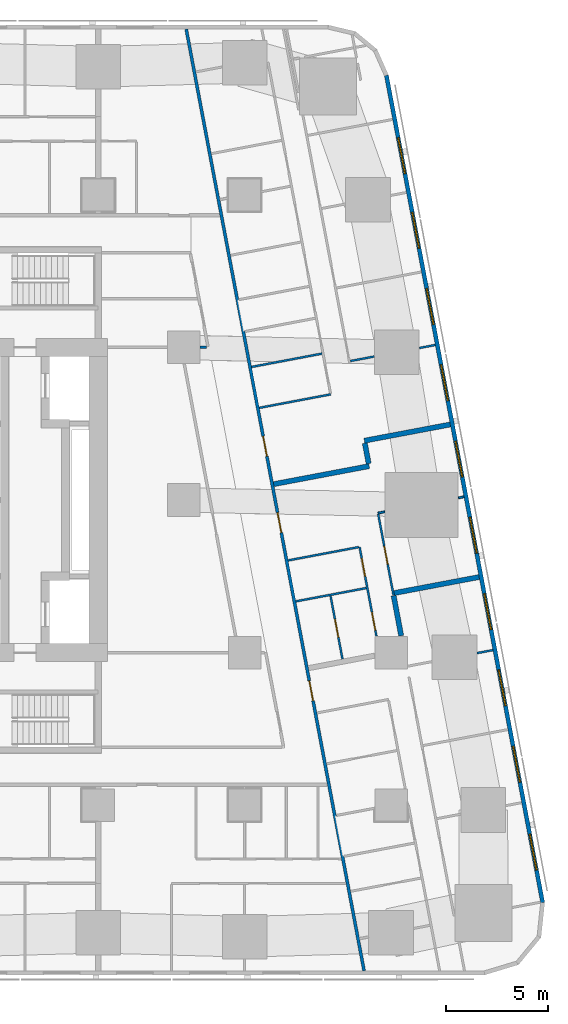
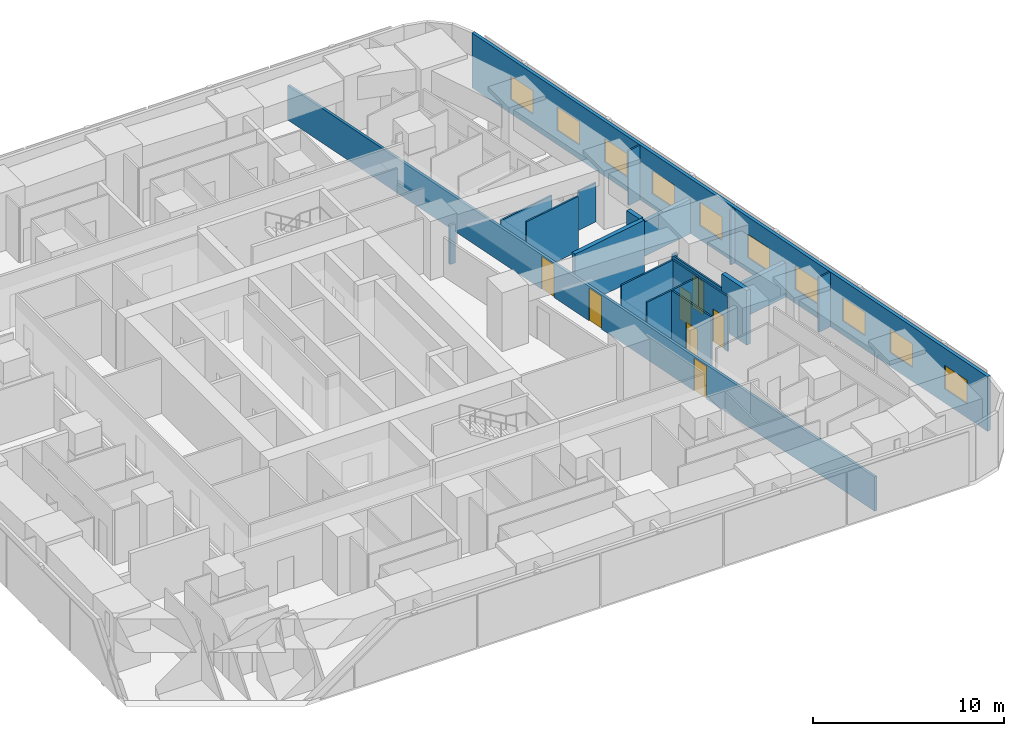
# One storey, part 8 of 17: 20 walls, 10 windows, 7 doors, 17 openings.
"""IFC4 building model written with IfcOpenShell, lengths in metres."""

from ifc_helpers import new_model, si_unit, direction, frame, frame_2d, origin, place, context, subcontext, project, spatial, rectangle, extrude, material, layer, layer_set, type_object, element, fill, save


model = new_model("IFC4")

# Units and contexts
model_context = context("Model", 3, precision=1e-05, world=origin(), true_north=direction((0.0, 1.0)))
body_context = subcontext(model_context, "Body", "Model", "MODEL_VIEW")
ifc_project = project(units=[si_unit("LENGTHUNIT", "METRE"), si_unit("AREAUNIT", "SQUARE_METRE"), si_unit("VOLUMEUNIT", "CUBIC_METRE"), si_unit("PLANEANGLEUNIT", "RADIAN"), si_unit("MASSUNIT", "GRAM", prefix="KILO")], contexts=[model_context])

# Site, building, storey
site_placement = place(None, origin())
site = spatial("IfcSite", under=ifc_project, at=site_placement, CompositionType="ELEMENT")
building_placement = place(site_placement, origin())
building = spatial("IfcBuilding", under=site, at=building_placement, Name="Sheger Commons Tower", CompositionType="ELEMENT")
storey_placement = place(building_placement, frame((0.0, 0.0, 119.14990234375)))
storey = spatial("IfcBuildingStorey", under=building, at=storey_placement, Name="L30", CompositionType="ELEMENT", Elevation=119.14990234375)

# Wall, openings, doors
ifc_material_1 = material(Name="Hollow concrete block masonry, skimmed both sides", Category="masonry")
ifc_layer_1 = layer(ifc_material_1, 0.14990234375)
ifc_layer_set_1 = layer_set([ifc_layer_1], Name="CORRIDOR WALL 150")
wall_type_1 = type_object("IfcWallType", Name="CORRIDOR WALL 150", PredefinedType="SOLIDWALL", material=ifc_layer_set_1)
wall_1_placement = place(storey_placement, frame((33.126953125, 45.64990234375, 0.0), z_axis=(0.0, 0.0, 1.0), x_axis=(0.185598547723, -0.98262565562, 0.0)))
wall_1 = element("IfcWall", 1, at=wall_1_placement, inside=storey, type_object=wall_type_1, Name="Corridor wall L30", PredefinedType="SOLIDWALL", context=body_context, shape_type="SweptSolid", body=[
    extrude(rectangle(XDim=47.118408203125, YDim=0.14990234375, at=frame_2d((23.55908203125, 0.0))), origin(), (0.0, 0.0, 1.0), 2.2001953125),
])
opening_1_placement = place(wall_1_placement, frame((20.373046875, 0.0, 0.0)))
opening_1 = element("IfcOpeningElement", 2, at=opening_1_placement, cuts=wall_1, Name="Opening D1", PredefinedType="OPENING", context=body_context, shape_type="SweptSolid", body=[
    extrude(rectangle(XDim=1.0, YDim=2.10009765625, at=frame_2d((0.5, 1.050048828125))), frame((0.0, 0.0849609375, 0.0), z_axis=(0.0, -1.0, 0.0), x_axis=(1.0, 0.0, 0.0)), (0.0, 0.0, 1.0), 0.169921875),
])
opening_2_placement = place(wall_1_placement, frame((24.18798828125, 0.0, 0.0)))
opening_2 = element("IfcOpeningElement", 3, at=opening_2_placement, cuts=wall_1, Name="Opening D1", PredefinedType="OPENING", context=body_context, shape_type="SweptSolid", body=[
    extrude(rectangle(XDim=1.0, YDim=2.10009765625, at=frame_2d((0.5, 1.050048828125))), frame((0.0, 0.0849609375, 0.0), z_axis=(0.0, -1.0, 0.0), x_axis=(1.0, 0.0, 0.0)), (0.0, 0.0, 1.0), 0.169921875),
])
opening_3_placement = place(wall_1_placement, frame((32.60791015625, 0.0, 0.0)))
opening_3 = element("IfcOpeningElement", 4, at=opening_3_placement, cuts=wall_1, Name="Opening D1", PredefinedType="OPENING", context=body_context, shape_type="SweptSolid", body=[
    extrude(rectangle(XDim=1.0, YDim=2.10009765625, at=frame_2d((0.5, 1.050048828125))), frame((0.0, 0.0849609375, 0.0), z_axis=(0.0, -1.0, 0.0), x_axis=(1.0, 0.0, 0.0)), (0.0, 0.0, 1.0), 0.169921875),
])
ifc_material_2 = material(Name="Steel door set, fire rated", Category="steel")
door_type_1 = type_object("IfcDoorType", Name="FLAT ENTRANCE DOOR 1000x2100", OperationType="NOTDEFINED", PredefinedType="DOOR", material=ifc_material_2)
door_1_placement = place(opening_1_placement, origin())
door_1 = element("IfcDoor", 5, at=door_1_placement, inside=storey, type_object=door_type_1, Name="Flat entrance door", OperationType="SINGLE_SWING_RIGHT", OverallHeight=2.10009765625, OverallWidth=1.0, PredefinedType="DOOR", context=body_context, shape_type="SweptSolid", body=[
    extrude(rectangle(XDim=1.0, YDim=2.10009765625, at=frame_2d((0.5, 1.050048828125))), frame((0.0, 0.02490234375, 0.0), z_axis=(0.0, -1.0, 0.0), x_axis=(1.0, 0.0, 0.0)), (0.0, 0.0, 1.0), 0.050048828125),
])
fill(opening_1, door_1)
door_2_placement = place(opening_2_placement, origin())
door_2 = element("IfcDoor", 6, at=door_2_placement, inside=storey, type_object=door_type_1, Name="Flat entrance door", OperationType="SINGLE_SWING_LEFT", OverallHeight=2.10009765625, OverallWidth=1.0, PredefinedType="DOOR", context=body_context, shape_type="SweptSolid", body=[
    extrude(rectangle(XDim=1.0, YDim=2.10009765625, at=frame_2d((0.5, 1.050048828125))), frame((0.0, 0.02490234375, 0.0), z_axis=(0.0, -1.0, 0.0), x_axis=(1.0, 0.0, 0.0)), (0.0, 0.0, 1.0), 0.050048828125),
])
fill(opening_2, door_2)
door_3_placement = place(opening_3_placement, origin())
door_3 = element("IfcDoor", 7, at=door_3_placement, inside=storey, type_object=door_type_1, Name="Flat entrance door", OperationType="SINGLE_SWING_RIGHT", OverallHeight=2.10009765625, OverallWidth=1.0, PredefinedType="DOOR", context=body_context, shape_type="SweptSolid", body=[
    extrude(rectangle(XDim=1.0, YDim=2.10009765625, at=frame_2d((0.5, 1.050048828125))), frame((0.0, 0.02490234375, 0.0), z_axis=(0.0, -1.0, 0.0), x_axis=(1.0, 0.0, 0.0)), (0.0, 0.0, 1.0), 0.050048828125),
])
fill(opening_3, door_3)

# Walls
ifc_material_3 = material(Name="Dense concrete block masonry, plastered both sides (separating wall between flats)", Category="masonry")
ifc_layer_2 = layer(ifc_material_3, 0.25)
ifc_layer_set_2 = layer_set([ifc_layer_2], Name="DEMISING WALL 250")
wall_type_2 = type_object("IfcWallType", Name="DEMISING WALL 250", PredefinedType="SOLIDWALL", material=ifc_layer_set_2)
wall_2_placement = place(storey_placement, frame((46.110107421875, 26.212890625, 0.0), z_axis=(0.0, 0.0, 1.0), x_axis=(-0.982633535512, -0.185556823879, 0.0)))
element("IfcWall", 8, at=wall_2_placement, inside=storey, type_object=wall_type_2, Name="Demising wall L30", PredefinedType="SOLIDWALL", context=body_context, shape_type="SweptSolid", body=[
    extrude(rectangle(XDim=4.2998046875, YDim=0.25, at=frame_2d((2.14990234375, 0.0))), origin(), (0.0, 0.0, 1.0), 2.2001953125),
])
wall_3_placement = place(storey_placement, frame((42.12109375, 24.166015625, 0.0), z_axis=(0.0, 0.0, 1.0), x_axis=(-0.98259850169, -0.185742252804, 0.0)))
element("IfcWall", 9, at=wall_3_placement, inside=storey, type_object=wall_type_2, Name="Demising wall L30", PredefinedType="SOLIDWALL", context=body_context, shape_type="SweptSolid", body=[
    extrude(rectangle(XDim=4.775146484375, YDim=0.25, at=frame_2d((2.3876953125, 0.0))), origin(), (0.0, 0.0, 1.0), 3.5),
])
wall_4_placement = place(storey_placement, frame((41.907958984375, 25.2919921875, 0.0), z_axis=(0.0, 0.0, 1.0), x_axis=(0.18607888991, -0.982534806879, 0.0)))
element("IfcWall", 10, at=wall_4_placement, inside=storey, type_object=wall_type_2, Name="Demising wall L30", PredefinedType="SOLIDWALL", context=body_context, shape_type="SweptSolid", body=[
    extrude(rectangle(XDim=1.020751953125, YDim=0.25, at=frame_2d((0.51025390625, 0.0))), origin(), (0.0, 0.0, 1.0), 3.5),
])
wall_5_placement = place(storey_placement, frame((47.527099609375, 18.7119140625, 0.0), z_axis=(0.0, 0.0, 1.0), x_axis=(-0.982665405803, -0.185387972203, 0.0)))
element("IfcWall", 11, at=wall_5_placement, inside=storey, type_object=wall_type_2, Name="Demising wall L30", PredefinedType="SOLIDWALL", context=body_context, shape_type="SweptSolid", body=[
    extrude(rectangle(XDim=4.249755859375, YDim=0.25, at=frame_2d((2.125, 0.0))), origin(), (0.0, 0.0, 1.0), 2.2001953125),
])
wall_6_placement = place(storey_placement, frame((43.324951171875, 17.7919921875, 0.0), z_axis=(0.0, 0.0, 1.0), x_axis=(0.185296805985, -0.982682600686, 0.0)))
element("IfcWall", 12, at=wall_6_placement, inside=storey, type_object=wall_type_2, Name="Demising wall L30", PredefinedType="SOLIDWALL", context=body_context, shape_type="SweptSolid", body=[
    extrude(rectangle(XDim=2.002685546875, YDim=0.25, at=frame_2d((1.00146484375, 0.0))), origin(), (0.0, 0.0, 1.0), 3.5),
])

# Wall, openings, windows
ifc_material_4 = material(Name="Rendered concrete block masonry, dark grey", Category="masonry")
ifc_layer_3 = layer(ifc_material_4, 0.199951171875)
ifc_layer_set_3 = layer_set([ifc_layer_3], Name="FACADE WALL 200")
wall_type_3 = type_object("IfcWallType", Name="FACADE WALL 200", PredefinedType="SOLIDWALL", material=ifc_layer_set_3)
wall_7_placement = place(storey_placement, frame((50.653076171875, 2.702880859375, 0.0), z_axis=(0.0, 0.0, 1.0), x_axis=(-0.185612026696, 0.982623109613, 0.0)))
wall_7 = element("IfcWall", 13, at=wall_7_placement, inside=storey, type_object=wall_type_3, Name="Facade wall L30", PredefinedType="SOLIDWALL", context=body_context, shape_type="SweptSolid", body=[
    extrude(rectangle(XDim=41.393310546875, YDim=0.199951171875, at=frame_2d((20.69677734375, 0.0))), origin(), (0.0, 0.0, 1.0), 3.5),
])
opening_4_placement = place(wall_7_placement, frame((1.633056640625, 0.0, 0.89990234375)))
opening_4 = element("IfcOpeningElement", 14, at=opening_4_placement, cuts=wall_7, Name="Opening W2", PredefinedType="OPENING", context=body_context, shape_type="SweptSolid", body=[
    extrude(rectangle(XDim=1.800048828125, YDim=1.5, at=frame_2d((0.89990234375, 0.75))), frame((0.0, 0.10986328125, 0.0), z_axis=(0.0, -1.0, 0.0), x_axis=(1.0, 0.0, 0.0)), (0.0, 0.0, 1.0), 0.219970703125),
])
opening_5_placement = place(wall_7_placement, frame((6.031982421875, 0.0, 0.89990234375)))
opening_5 = element("IfcOpeningElement", 15, at=opening_5_placement, cuts=wall_7, Name="Opening W2", PredefinedType="OPENING", context=body_context, shape_type="SweptSolid", body=[
    extrude(rectangle(XDim=1.800048828125, YDim=1.5, at=frame_2d((0.89990234375, 0.75))), frame((0.0, 0.10986328125, 0.0), z_axis=(0.0, -1.0, 0.0), x_axis=(1.0, 0.0, 0.0)), (0.0, 0.0, 1.0), 0.219970703125),
])
opening_6_placement = place(wall_7_placement, frame((9.847900390625, 0.0, 0.89990234375)))
opening_6 = element("IfcOpeningElement", 16, at=opening_6_placement, cuts=wall_7, Name="Opening W2", PredefinedType="OPENING", context=body_context, shape_type="SweptSolid", body=[
    extrude(rectangle(XDim=1.800048828125, YDim=1.5, at=frame_2d((0.89990234375, 0.75))), frame((0.0, 0.10986328125, 0.0), z_axis=(0.0, -1.0, 0.0), x_axis=(1.0, 0.0, 0.0)), (0.0, 0.0, 1.0), 0.219970703125),
])
opening_7_placement = place(wall_7_placement, frame((13.6640625, 0.0, 0.89990234375)))
opening_7 = element("IfcOpeningElement", 17, at=opening_7_placement, cuts=wall_7, Name="Opening W2", PredefinedType="OPENING", context=body_context, shape_type="SweptSolid", body=[
    extrude(rectangle(XDim=1.800048828125, YDim=1.5, at=frame_2d((0.89990234375, 0.75))), frame((0.0, 0.10986328125, 0.0), z_axis=(0.0, -1.0, 0.0), x_axis=(1.0, 0.0, 0.0)), (0.0, 0.0, 1.0), 0.219970703125),
])
opening_8_placement = place(wall_7_placement, frame((17.48095703125, 0.0, 0.89990234375)))
opening_8 = element("IfcOpeningElement", 18, at=opening_8_placement, cuts=wall_7, Name="Opening W2", PredefinedType="OPENING", context=body_context, shape_type="SweptSolid", body=[
    extrude(rectangle(XDim=1.800048828125, YDim=1.5, at=frame_2d((0.89990234375, 0.75))), frame((0.0, 0.10986328125, 0.0), z_axis=(0.0, -1.0, 0.0), x_axis=(1.0, 0.0, 0.0)), (0.0, 0.0, 1.0), 0.219970703125),
])
opening_9_placement = place(wall_7_placement, frame((21.297119140625, 0.0, 0.89990234375)))
opening_9 = element("IfcOpeningElement", 19, at=opening_9_placement, cuts=wall_7, Name="Opening W2", PredefinedType="OPENING", context=body_context, shape_type="SweptSolid", body=[
    extrude(rectangle(XDim=1.800048828125, YDim=1.5, at=frame_2d((0.89990234375, 0.75))), frame((0.0, 0.10986328125, 0.0), z_axis=(0.0, -1.0, 0.0), x_axis=(1.0, 0.0, 0.0)), (0.0, 0.0, 1.0), 0.219970703125),
])
opening_10_placement = place(wall_7_placement, frame((25.113037109375, 0.0, 0.89990234375)))
opening_10 = element("IfcOpeningElement", 20, at=opening_10_placement, cuts=wall_7, Name="Opening W2", PredefinedType="OPENING", context=body_context, shape_type="SweptSolid", body=[
    extrude(rectangle(XDim=1.800048828125, YDim=1.5, at=frame_2d((0.89990234375, 0.75))), frame((0.0, 0.10986328125, 0.0), z_axis=(0.0, -1.0, 0.0), x_axis=(1.0, 0.0, 0.0)), (0.0, 0.0, 1.0), 0.219970703125),
])
opening_11_placement = place(wall_7_placement, frame((28.929931640625, 0.0, 0.89990234375)))
opening_11 = element("IfcOpeningElement", 21, at=opening_11_placement, cuts=wall_7, Name="Opening W2", PredefinedType="OPENING", context=body_context, shape_type="SweptSolid", body=[
    extrude(rectangle(XDim=1.800048828125, YDim=1.5, at=frame_2d((0.89990234375, 0.75))), frame((0.0, 0.10986328125, 0.0), z_axis=(0.0, -1.0, 0.0), x_axis=(1.0, 0.0, 0.0)), (0.0, 0.0, 1.0), 0.219970703125),
])
opening_12_placement = place(wall_7_placement, frame((32.74609375, 0.0, 0.89990234375)))
opening_12 = element("IfcOpeningElement", 22, at=opening_12_placement, cuts=wall_7, Name="Opening W2", PredefinedType="OPENING", context=body_context, shape_type="SweptSolid", body=[
    extrude(rectangle(XDim=1.800048828125, YDim=1.5, at=frame_2d((0.89990234375, 0.75))), frame((0.0, 0.10986328125, 0.0), z_axis=(0.0, -1.0, 0.0), x_axis=(1.0, 0.0, 0.0)), (0.0, 0.0, 1.0), 0.219970703125),
])
opening_13_placement = place(wall_7_placement, frame((36.48095703125, 0.0, 0.89990234375)))
opening_13 = element("IfcOpeningElement", 23, at=opening_13_placement, cuts=wall_7, Name="Opening W2", PredefinedType="OPENING", context=body_context, shape_type="SweptSolid", body=[
    extrude(rectangle(XDim=1.800048828125, YDim=1.5, at=frame_2d((0.89990234375, 0.75))), frame((0.0, 0.10986328125, 0.0), z_axis=(0.0, -1.0, 0.0), x_axis=(1.0, 0.0, 0.0)), (0.0, 0.0, 1.0), 0.219970703125),
])
ifc_material_5 = material(Name="Black aluminium frame, dark tinted double glazing", Category="aluminium")
window_type = type_object("IfcWindowType", Name="WINDOW W2 1800x1500", PartitioningType="SINGLE_PANEL", PredefinedType="WINDOW", material=ifc_material_5)
window_1_placement = place(opening_4_placement, origin())
window_1 = element("IfcWindow", 24, at=window_1_placement, inside=storey, type_object=window_type, Name="Window W2 1800X1500", OverallHeight=1.5, OverallWidth=1.800048828125, PartitioningType="SINGLE_PANEL", PredefinedType="WINDOW", context=body_context, shape_type="SweptSolid", body=[
    extrude(rectangle(XDim=1.800048828125, YDim=1.5, at=frame_2d((0.89990234375, 0.75))), frame((0.0, 0.030029296875, 0.0), z_axis=(0.0, -1.0, 0.0), x_axis=(1.0, 0.0, 0.0)), (0.0, 0.0, 1.0), 0.06005859375),
])
fill(opening_4, window_1)
window_2_placement = place(opening_5_placement, origin())
window_2 = element("IfcWindow", 25, at=window_2_placement, inside=storey, type_object=window_type, Name="Window W2 1800X1500", OverallHeight=1.5, OverallWidth=1.800048828125, PartitioningType="SINGLE_PANEL", PredefinedType="WINDOW", context=body_context, shape_type="SweptSolid", body=[
    extrude(rectangle(XDim=1.800048828125, YDim=1.5, at=frame_2d((0.89990234375, 0.75))), frame((0.0, 0.030029296875, 0.0), z_axis=(0.0, -1.0, 0.0), x_axis=(1.0, 0.0, 0.0)), (0.0, 0.0, 1.0), 0.06005859375),
])
fill(opening_5, window_2)
window_3_placement = place(opening_6_placement, origin())
window_3 = element("IfcWindow", 26, at=window_3_placement, inside=storey, type_object=window_type, Name="Window W2 1800X1500", OverallHeight=1.5, OverallWidth=1.800048828125, PartitioningType="SINGLE_PANEL", PredefinedType="WINDOW", context=body_context, shape_type="SweptSolid", body=[
    extrude(rectangle(XDim=1.800048828125, YDim=1.5, at=frame_2d((0.89990234375, 0.75))), frame((0.0, 0.030029296875, 0.0), z_axis=(0.0, -1.0, 0.0), x_axis=(1.0, 0.0, 0.0)), (0.0, 0.0, 1.0), 0.06005859375),
])
fill(opening_6, window_3)
window_4_placement = place(opening_7_placement, origin())
window_4 = element("IfcWindow", 27, at=window_4_placement, inside=storey, type_object=window_type, Name="Window W2 1800X1500", OverallHeight=1.5, OverallWidth=1.800048828125, PartitioningType="SINGLE_PANEL", PredefinedType="WINDOW", context=body_context, shape_type="SweptSolid", body=[
    extrude(rectangle(XDim=1.800048828125, YDim=1.5, at=frame_2d((0.89990234375, 0.75))), frame((0.0, 0.030029296875, 0.0), z_axis=(0.0, -1.0, 0.0), x_axis=(1.0, 0.0, 0.0)), (0.0, 0.0, 1.0), 0.06005859375),
])
fill(opening_7, window_4)
window_5_placement = place(opening_8_placement, origin())
window_5 = element("IfcWindow", 28, at=window_5_placement, inside=storey, type_object=window_type, Name="Window W2 1800X1500", OverallHeight=1.5, OverallWidth=1.800048828125, PartitioningType="SINGLE_PANEL", PredefinedType="WINDOW", context=body_context, shape_type="SweptSolid", body=[
    extrude(rectangle(XDim=1.800048828125, YDim=1.5, at=frame_2d((0.89990234375, 0.75))), frame((0.0, 0.030029296875, 0.0), z_axis=(0.0, -1.0, 0.0), x_axis=(1.0, 0.0, 0.0)), (0.0, 0.0, 1.0), 0.06005859375),
])
fill(opening_8, window_5)
window_6_placement = place(opening_9_placement, origin())
window_6 = element("IfcWindow", 29, at=window_6_placement, inside=storey, type_object=window_type, Name="Window W2 1800X1500", OverallHeight=1.5, OverallWidth=1.800048828125, PartitioningType="SINGLE_PANEL", PredefinedType="WINDOW", context=body_context, shape_type="SweptSolid", body=[
    extrude(rectangle(XDim=1.800048828125, YDim=1.5, at=frame_2d((0.89990234375, 0.75))), frame((0.0, 0.030029296875, 0.0), z_axis=(0.0, -1.0, 0.0), x_axis=(1.0, 0.0, 0.0)), (0.0, 0.0, 1.0), 0.06005859375),
])
fill(opening_9, window_6)
window_7_placement = place(opening_10_placement, origin())
window_7 = element("IfcWindow", 30, at=window_7_placement, inside=storey, type_object=window_type, Name="Window W2 1800X1500", OverallHeight=1.5, OverallWidth=1.800048828125, PartitioningType="SINGLE_PANEL", PredefinedType="WINDOW", context=body_context, shape_type="SweptSolid", body=[
    extrude(rectangle(XDim=1.800048828125, YDim=1.5, at=frame_2d((0.89990234375, 0.75))), frame((0.0, 0.030029296875, 0.0), z_axis=(0.0, -1.0, 0.0), x_axis=(1.0, 0.0, 0.0)), (0.0, 0.0, 1.0), 0.06005859375),
])
fill(opening_10, window_7)
window_8_placement = place(opening_11_placement, origin())
window_8 = element("IfcWindow", 31, at=window_8_placement, inside=storey, type_object=window_type, Name="Window W2 1800X1500", OverallHeight=1.5, OverallWidth=1.800048828125, PartitioningType="SINGLE_PANEL", PredefinedType="WINDOW", context=body_context, shape_type="SweptSolid", body=[
    extrude(rectangle(XDim=1.800048828125, YDim=1.5, at=frame_2d((0.89990234375, 0.75))), frame((0.0, 0.030029296875, 0.0), z_axis=(0.0, -1.0, 0.0), x_axis=(1.0, 0.0, 0.0)), (0.0, 0.0, 1.0), 0.06005859375),
])
fill(opening_11, window_8)
window_9_placement = place(opening_12_placement, origin())
window_9 = element("IfcWindow", 32, at=window_9_placement, inside=storey, type_object=window_type, Name="Window W2 1800X1500", OverallHeight=1.5, OverallWidth=1.800048828125, PartitioningType="SINGLE_PANEL", PredefinedType="WINDOW", context=body_context, shape_type="SweptSolid", body=[
    extrude(rectangle(XDim=1.800048828125, YDim=1.5, at=frame_2d((0.89990234375, 0.75))), frame((0.0, 0.030029296875, 0.0), z_axis=(0.0, -1.0, 0.0), x_axis=(1.0, 0.0, 0.0)), (0.0, 0.0, 1.0), 0.06005859375),
])
fill(opening_12, window_9)
window_10_placement = place(opening_13_placement, origin())
window_10 = element("IfcWindow", 33, at=window_10_placement, inside=storey, type_object=window_type, Name="Window W2 1800X1500", OverallHeight=1.5, OverallWidth=1.800048828125, PartitioningType="SINGLE_PANEL", PredefinedType="WINDOW", context=body_context, shape_type="SweptSolid", body=[
    extrude(rectangle(XDim=1.800048828125, YDim=1.5, at=frame_2d((0.89990234375, 0.75))), frame((0.0, 0.030029296875, 0.0), z_axis=(0.0, -1.0, 0.0), x_axis=(1.0, 0.0, 0.0)), (0.0, 0.0, 1.0), 0.06005859375),
])
fill(opening_13, window_10)

# Walls
ifc_material_6 = material(Name="Gypsum board on steel studs", Category="steel")
ifc_layer_4 = layer(ifc_material_6, 0.10009765625)
ifc_layer_set_4 = layer_set([ifc_layer_4], Name="PARTITION 100")
wall_type_4 = type_object("IfcWallType", Name="PARTITION 100", PredefinedType="PARTITIONING", material=ifc_layer_set_4)
wall_8_placement = place(storey_placement, frame((45.3720703125, 30.12109375, 0.0), z_axis=(0.0, 0.0, 1.0), x_axis=(-0.982512656401, -0.186195810938, 0.0)))
element("IfcWall", 34, at=wall_8_placement, inside=storey, type_object=wall_type_4, Name="Partition L30", PredefinedType="PARTITIONING", context=body_context, shape_type="SweptSolid", body=[
    extrude(rectangle(XDim=0.7958984375, YDim=0.10009765625, at=frame_2d((0.39794921875, 0.0))), origin(), (0.0, 0.0, 1.0), 3.5),
])
wall_9_placement = place(storey_placement, frame((42.3701171875, 29.553955078125, 0.0), z_axis=(0.0, 0.0, 1.0), x_axis=(-0.982600492424, -0.185731721275, 0.0)))
element("IfcWall", 35, at=wall_9_placement, inside=storey, type_object=wall_type_4, Name="Partition L30", PredefinedType="PARTITIONING", context=body_context, shape_type="SweptSolid", body=[
    extrude(rectangle(XDim=1.19482421875, YDim=0.10009765625, at=frame_2d((0.597412109375, 0.0))), origin(), (0.0, 0.0, 1.0), 2.5),
])
wall_10_placement = place(storey_placement, frame((40.23291015625, 27.693115234375, 0.0), z_axis=(0.0, 0.0, 1.0), x_axis=(-0.982598214409, -0.185743772548, 0.0)))
element("IfcWall", 36, at=wall_10_placement, inside=storey, type_object=wall_type_4, Name="Partition L30", PredefinedType="PARTITIONING", context=body_context, shape_type="SweptSolid", body=[
    extrude(rectangle(XDim=3.5751953125, YDim=0.10009765625, at=frame_2d((1.78759765625, 0.0))), origin(), (0.0, 0.0, 1.0), 3.5),
])
wall_11_placement = place(storey_placement, frame((39.802978515625, 29.697998046875, 0.0), z_axis=(0.0, 0.0, 1.0), x_axis=(-0.982576058723, -0.185860939478, 0.0)))
element("IfcWall", 37, at=wall_11_placement, inside=storey, type_object=wall_type_4, Name="Partition L30", PredefinedType="PARTITIONING", context=body_context, shape_type="SweptSolid", body=[
    extrude(rectangle(XDim=3.5244140625, YDim=0.10009765625, at=frame_2d((1.76220703125, 0.0))), origin(), (0.0, 0.0, 1.0), 2.5),
])

# Wall, opening, door
wall_12_placement = place(storey_placement, frame((42.56494140625, 21.80908203125, 0.0), z_axis=(0.0, 0.0, 1.0), x_axis=(0.185910488551, -0.982566684885, 0.0)))
wall_12 = element("IfcWall", 38, at=wall_12_placement, inside=storey, type_object=wall_type_4, Name="Partition L30", PredefinedType="PARTITIONING", context=body_context, shape_type="SweptSolid", body=[
    extrude(rectangle(XDim=4.061767578125, YDim=0.10009765625, at=frame_2d((2.03076171875, 0.0))), origin(), (0.0, 0.0, 1.0), 2.5),
])
opening_14_placement = place(wall_12_placement, frame((1.617919921875, 0.0, 0.0)))
opening_14 = element("IfcOpeningElement", 39, at=opening_14_placement, cuts=wall_12, Name="Opening D2", PredefinedType="OPENING", context=body_context, shape_type="SweptSolid", body=[
    extrude(rectangle(XDim=0.89990234375, YDim=2.10009765625, at=frame_2d((0.449951171875, 1.050048828125))), frame((0.0, 0.06005859375, 0.0), z_axis=(0.0, -1.0, 0.0), x_axis=(1.0, 0.0, 0.0)), (0.0, 0.0, 1.0), 0.1201171875),
])
ifc_material_7 = material(Name="Timber door set", Category="wood")
door_type_2 = type_object("IfcDoorType", Name="INTERNAL DOOR 900x2100", OperationType="NOTDEFINED", PredefinedType="DOOR", material=ifc_material_7)
door_4_placement = place(opening_14_placement, origin())
door_4 = element("IfcDoor", 40, at=door_4_placement, inside=storey, type_object=door_type_2, Name="Main bedroom door", OperationType="SINGLE_SWING_RIGHT", OverallHeight=2.10009765625, OverallWidth=0.89990234375, PredefinedType="DOOR", context=body_context, shape_type="SweptSolid", body=[
    extrude(rectangle(XDim=0.89990234375, YDim=2.10009765625, at=frame_2d((0.449951171875, 1.050048828125))), frame((0.0, 0.02490234375, 0.0), z_axis=(0.0, -1.0, 0.0), x_axis=(1.0, 0.0, 0.0)), (0.0, 0.0, 1.0), 0.050048828125),
])
fill(opening_14, door_4)

# Wall, openings, doors
wall_13_placement = place(storey_placement, frame((41.64990234375, 20.193115234375, 0.0), z_axis=(0.0, 0.0, 1.0), x_axis=(0.18565316258, -0.982615338382, 0.0)))
wall_13 = element("IfcWall", 41, at=wall_13_placement, inside=storey, type_object=wall_type_4, Name="Partition L30", PredefinedType="PARTITIONING", context=body_context, shape_type="SweptSolid", body=[
    extrude(rectangle(XDim=4.460693359375, YDim=0.10009765625, at=frame_2d((2.23046875, 0.0))), origin(), (0.0, 0.0, 1.0), 3.5),
])
opening_15_placement = place(wall_13_placement, frame((0.574951171875, 0.0, 0.0)))
opening_15 = element("IfcOpeningElement", 42, at=opening_15_placement, cuts=wall_13, Name="Opening D2", PredefinedType="OPENING", context=body_context, shape_type="SweptSolid", body=[
    extrude(rectangle(XDim=0.89990234375, YDim=2.10009765625, at=frame_2d((0.449951171875, 1.050048828125))), frame((0.0, 0.06005859375, 0.0), z_axis=(0.0, -1.0, 0.0), x_axis=(1.0, 0.0, 0.0)), (0.0, 0.0, 1.0), 0.1201171875),
])
opening_16_placement = place(wall_13_placement, frame((3.27099609375, 0.0, 0.0)))
opening_16 = element("IfcOpeningElement", 43, at=opening_16_placement, cuts=wall_13, Name="Opening D2", PredefinedType="OPENING", context=body_context, shape_type="SweptSolid", body=[
    extrude(rectangle(XDim=0.89990234375, YDim=2.10009765625, at=frame_2d((0.449951171875, 1.050048828125))), frame((0.0, 0.06005859375, 0.0), z_axis=(0.0, -1.0, 0.0), x_axis=(1.0, 0.0, 0.0)), (0.0, 0.0, 1.0), 0.1201171875),
])
door_5_placement = place(opening_15_placement, origin())
door_5 = element("IfcDoor", 44, at=door_5_placement, inside=storey, type_object=door_type_2, Name="Bathroom door", OperationType="SINGLE_SWING_RIGHT", OverallHeight=2.10009765625, OverallWidth=0.89990234375, PredefinedType="DOOR", context=body_context, shape_type="SweptSolid", body=[
    extrude(rectangle(XDim=0.89990234375, YDim=2.10009765625, at=frame_2d((0.449951171875, 1.050048828125))), frame((0.0, 0.02490234375, 0.0), z_axis=(0.0, -1.0, 0.0), x_axis=(1.0, 0.0, 0.0)), (0.0, 0.0, 1.0), 0.050048828125),
])
fill(opening_15, door_5)
door_6_placement = place(opening_16_placement, origin())
door_6 = element("IfcDoor", 45, at=door_6_placement, inside=storey, type_object=door_type_2, Name="Store door", OperationType="SINGLE_SWING_LEFT", OverallHeight=2.10009765625, OverallWidth=0.89990234375, PredefinedType="DOOR", context=body_context, shape_type="SweptSolid", body=[
    extrude(rectangle(XDim=0.89990234375, YDim=2.10009765625, at=frame_2d((0.449951171875, 1.050048828125))), frame((0.0, 0.02490234375, 0.0), z_axis=(0.0, -1.0, 0.0), x_axis=(1.0, 0.0, 0.0)), (0.0, 0.0, 1.0), 0.050048828125),
])
fill(opening_16, door_6)

# Walls
wall_14_placement = place(storey_placement, frame((46.781982421875, 22.656982421875, 0.0), z_axis=(0.0, 0.0, 1.0), x_axis=(-0.982574553168, -0.185868898601, 0.0)))
element("IfcWall", 46, at=wall_14_placement, inside=storey, type_object=wall_type_4, Name="Partition L30", PredefinedType="PARTITIONING", context=body_context, shape_type="SweptSolid", body=[
    extrude(rectangle(XDim=0.27978515625, YDim=0.10009765625, at=frame_2d((0.139892578125, 0.0))), origin(), (0.0, 0.0, 1.0), 3.5),
])
wall_15_placement = place(storey_placement, frame((42.886962890625, 21.9208984375, 0.0), z_axis=(0.0, 0.0, 1.0), x_axis=(-0.982274918032, -0.187445953293, 0.0)))
element("IfcWall", 47, at=wall_15_placement, inside=storey, type_object=wall_type_4, Name="Partition L30", PredefinedType="PARTITIONING", context=body_context, shape_type="SweptSolid", body=[
    extrude(rectangle(XDim=0.3359375, YDim=0.10009765625, at=frame_2d((0.16796875, 0.0))), origin(), (0.0, 0.0, 1.0), 2.5),
])
wall_16_placement = place(storey_placement, frame((41.60107421875, 20.18408203125, 0.0), z_axis=(0.0, 0.0, 1.0), x_axis=(-0.982638553676, -0.185530247748, 0.0)))
element("IfcWall", 48, at=wall_16_placement, inside=storey, type_object=wall_type_4, Name="Partition L30", PredefinedType="PARTITIONING", context=body_context, shape_type="SweptSolid", body=[
    extrude(rectangle(XDim=3.525390625, YDim=0.10009765625, at=frame_2d((1.7626953125, 0.0))), origin(), (0.0, 0.0, 1.0), 3.5),
])
wall_17_placement = place(storey_placement, frame((41.98095703125, 18.169921875, 0.0), z_axis=(0.0, 0.0, 1.0), x_axis=(-0.982585626838, -0.185810349366, 0.0)))
element("IfcWall", 49, at=wall_17_placement, inside=storey, type_object=wall_type_4, Name="Partition L30", PredefinedType="PARTITIONING", context=body_context, shape_type="SweptSolid", body=[
    extrude(rectangle(XDim=3.525146484375, YDim=0.10009765625, at=frame_2d((1.7626953125, 0.0))), origin(), (0.0, 0.0, 1.0), 3.5),
])
wall_18_placement = place(storey_placement, frame((48.2060546875, 15.1201171875, 0.0), z_axis=(0.0, 0.0, 1.0), x_axis=(-0.982512656401, -0.186195810938, 0.0)))
element("IfcWall", 50, at=wall_18_placement, inside=storey, type_object=wall_type_4, Name="Partition L30", PredefinedType="PARTITIONING", context=body_context, shape_type="SweptSolid", body=[
    extrude(rectangle(XDim=0.7958984375, YDim=0.10009765625, at=frame_2d((0.39794921875, 0.0))), origin(), (0.0, 0.0, 1.0), 3.5),
])

# Wall, opening, door
wall_19_placement = place(storey_placement, frame((40.221923828125, 17.785888671875, 0.0), z_axis=(0.0, 0.0, 1.0), x_axis=(0.185768925106, -0.982593459405, 0.0)))
wall_19 = element("IfcWall", 51, at=wall_19_placement, inside=storey, type_object=wall_type_4, Name="Partition L30", PredefinedType="PARTITIONING", context=body_context, shape_type="SweptSolid", body=[
    extrude(rectangle(XDim=3.166015625, YDim=0.10009765625, at=frame_2d((1.5830078125, 0.0))), origin(), (0.0, 0.0, 1.0), 3.5),
])
opening_17_placement = place(wall_19_placement, frame((1.169921875, 0.0, 0.0)))
opening_17 = element("IfcOpeningElement", 52, at=opening_17_placement, cuts=wall_19, Name="Opening D2", PredefinedType="OPENING", context=body_context, shape_type="SweptSolid", body=[
    extrude(rectangle(XDim=0.89990234375, YDim=2.10009765625, at=frame_2d((0.449951171875, 1.050048828125))), frame((0.0, 0.06005859375, 0.0), z_axis=(0.0, -1.0, 0.0), x_axis=(1.0, 0.0, 0.0)), (0.0, 0.0, 1.0), 0.1201171875),
])
door_7_placement = place(opening_17_placement, origin())
door_7 = element("IfcDoor", 53, at=door_7_placement, inside=storey, type_object=door_type_2, Name="Store door", OperationType="SINGLE_SWING_LEFT", OverallHeight=2.10009765625, OverallWidth=0.89990234375, PredefinedType="DOOR", context=body_context, shape_type="SweptSolid", body=[
    extrude(rectangle(XDim=0.89990234375, YDim=2.10009765625, at=frame_2d((0.449951171875, 1.050048828125))), frame((0.0, 0.02490234375, 0.0), z_axis=(0.0, -1.0, 0.0), x_axis=(1.0, 0.0, 0.0)), (0.0, 0.0, 1.0), 0.050048828125),
])
fill(opening_17, door_7)

# Wall
ifc_material_8 = material(Name="Gypsum board on steel studs, two layers each side, fire rated", Category="steel")
ifc_layer_5 = layer(ifc_material_8, 0.125)
ifc_layer_set_5 = layer_set([ifc_layer_5], Name="SERVICE WALL 125")
wall_type_5 = type_object("IfcWallType", Name="SERVICE WALL 125", PredefinedType="PARTITIONING", material=ifc_layer_set_5)
wall_20_placement = place(storey_placement, frame((33.801025390625, 30.0, 0.0), z_axis=(0.0, 0.0, 1.0), x_axis=(1.0, 0.0, 0.0)))
element("IfcWall", 54, at=wall_20_placement, inside=storey, type_object=wall_type_5, Name="Service room wall L30", PredefinedType="PARTITIONING", context=body_context, shape_type="SweptSolid", body=[
    extrude(rectangle(XDim=0.323974609375, YDim=0.125, at=frame_2d((0.162109375, 0.0))), origin(), (0.0, 0.0, 1.0), 2.5),
])

save(model, "model.ifc")
